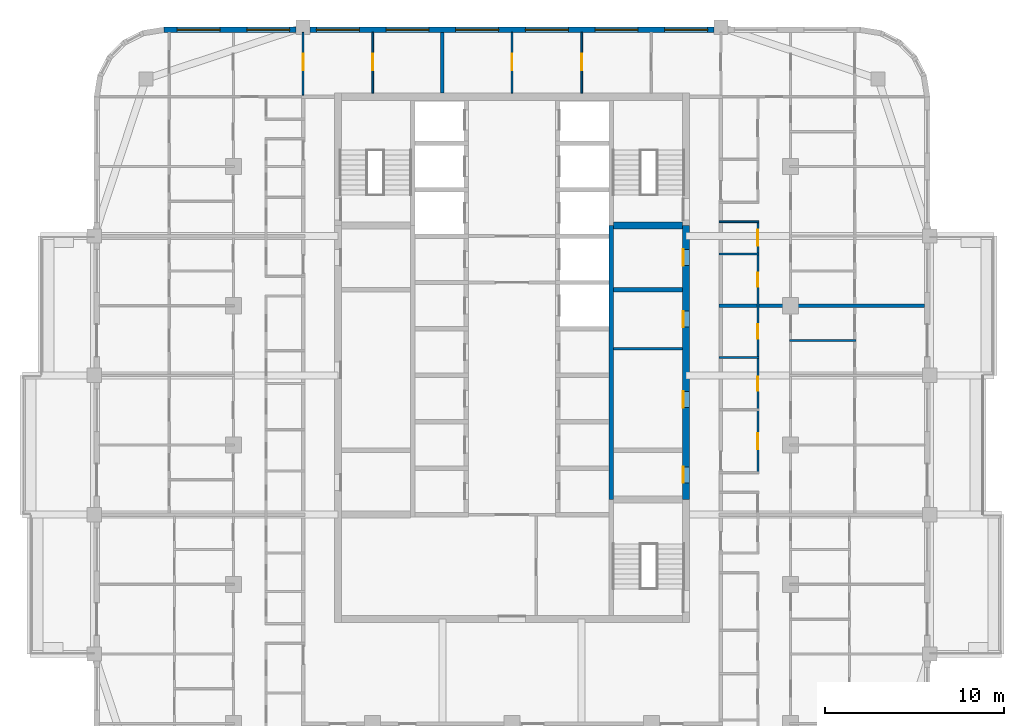
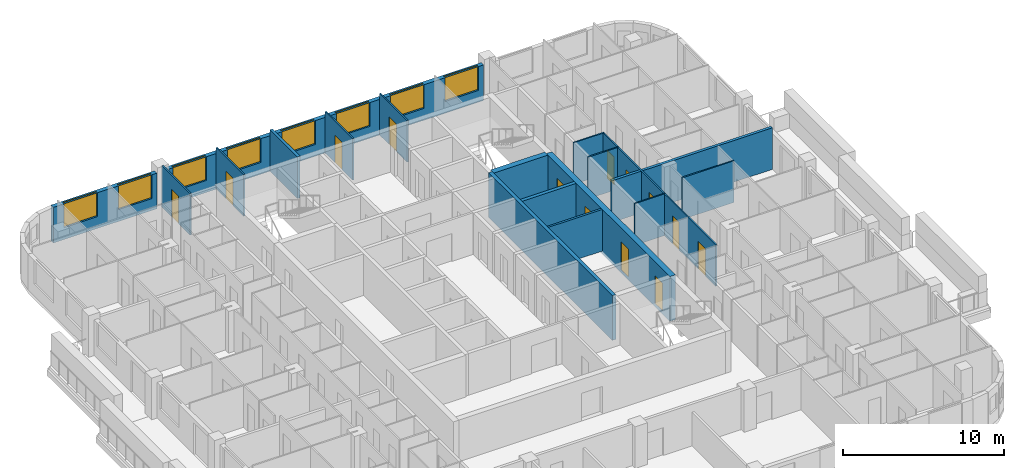
# One storey, part 10 of 16: 18 walls, 13 doors, 8 windows, 21 openings.
"""IFC4 building model written with IfcOpenShell, lengths in metres."""

from ifc_helpers import new_model, si_unit, direction, frame, frame_2d, origin, place, context, subcontext, project, spatial, rectangle, extrude, material, layer, layer_set, type_object, element, fill, save


model = new_model("IFC4")

# Units and contexts
model_context = context("Model", 3, precision=1e-05, world=origin(), true_north=direction((0.0, 1.0)))
body_context = subcontext(model_context, "Body", "Model", "MODEL_VIEW")
ifc_project = project(units=[si_unit("LENGTHUNIT", "METRE"), si_unit("AREAUNIT", "SQUARE_METRE"), si_unit("VOLUMEUNIT", "CUBIC_METRE"), si_unit("PLANEANGLEUNIT", "RADIAN"), si_unit("MASSUNIT", "GRAM", prefix="KILO")], contexts=[model_context])

# Site, building, storey
site_placement = place(None, origin())
site = spatial("IfcSite", under=ifc_project, at=site_placement, CompositionType="ELEMENT")
building_placement = place(site_placement, origin())
building = spatial("IfcBuilding", under=site, at=building_placement, Name="Ludao Terraces", CompositionType="ELEMENT")
storey_placement = place(building_placement, frame((0.0, 0.0, 207.5)))
storey = spatial("IfcBuildingStorey", under=building, at=storey_placement, Name="L56", CompositionType="ELEMENT", Elevation=207.5)

# Wall, openings, doors
ifc_material_1 = material(Name="Concrete C50", Category="concrete")
ifc_layer_1 = layer(ifc_material_1, 0.39990234375)
ifc_layer_set_1 = layer_set([ifc_layer_1], Name="Core wall 400 C50")
wall_type_1 = type_object("IfcWallType", Name="Core wall 400 C50", PredefinedType="SOLIDWALL", material=ifc_layer_set_1)
wall_1_placement = place(storey_placement, frame((94.75, 61.949951171875, -0.25), z_axis=(0.0, 0.0, 1.0), x_axis=(0.0, 1.0, 0.0)))
wall_1 = element("IfcWall", 1, at=wall_1_placement, inside=storey, type_object=wall_type_1, Name="Core wall L56 outer-E", PredefinedType="SOLIDWALL", context=body_context, shape_type="SweptSolid", body=[
    extrude(rectangle(XDim=15.35009765625, YDim=0.39990234375, at=frame_2d((7.675048828125, 0.0))), origin(), (0.0, 0.0, 1.0), 3.39990234375),
])
opening_1_placement = place(wall_1_placement, frame((0.925048828125, 0.0, 0.25)))
opening_1 = element("IfcOpeningElement", 2, at=opening_1_placement, cuts=wall_1, Name="Opening R20-058", PredefinedType="OPENING", context=body_context, shape_type="SweptSolid", body=[
    extrude(rectangle(XDim=0.89990234375, YDim=2.10009765625, at=frame_2d((0.449951171875, 1.050048828125))), frame((0.0, 0.2099609375, 0.0), z_axis=(0.0, -1.0, 0.0), x_axis=(1.0, 0.0, 0.0)), (0.0, 0.0, 1.0), 0.419921875),
])
opening_2_placement = place(wall_1_placement, frame((5.14990234375, 0.0, 0.25)))
opening_2 = element("IfcOpeningElement", 3, at=opening_2_placement, cuts=wall_1, Name="Opening R20-071", PredefinedType="OPENING", context=body_context, shape_type="SweptSolid", body=[
    extrude(rectangle(XDim=0.89990234375, YDim=2.10009765625, at=frame_2d((0.449951171875, 1.050048828125))), frame((0.0, 0.2099609375, 0.0), z_axis=(0.0, -1.0, 0.0), x_axis=(1.0, 0.0, 0.0)), (0.0, 0.0, 1.0), 0.419921875),
])
opening_3_placement = place(wall_1_placement, frame((9.64990234375, 0.0, 0.25)))
opening_3 = element("IfcOpeningElement", 4, at=opening_3_placement, cuts=wall_1, Name="Opening R20-086", PredefinedType="OPENING", context=body_context, shape_type="SweptSolid", body=[
    extrude(rectangle(XDim=0.89990234375, YDim=2.10009765625, at=frame_2d((0.449951171875, 1.050048828125))), frame((0.0, 0.2099609375, 0.0), z_axis=(0.0, -1.0, 0.0), x_axis=(1.0, 0.0, 0.0)), (0.0, 0.0, 1.0), 0.419921875),
])
opening_4_placement = place(wall_1_placement, frame((13.10009765625, 0.0, 0.25)))
opening_4 = element("IfcOpeningElement", 5, at=opening_4_placement, cuts=wall_1, Name="Opening R20-097", PredefinedType="OPENING", context=body_context, shape_type="SweptSolid", body=[
    extrude(rectangle(XDim=0.89990234375, YDim=2.10009765625, at=frame_2d((0.449951171875, 1.050048828125))), frame((0.0, 0.2099609375, 0.0), z_axis=(0.0, -1.0, 0.0), x_axis=(1.0, 0.0, 0.0)), (0.0, 0.0, 1.0), 0.419921875),
])
ifc_material_2 = material(Name="Steel Q235", Category="steel")
door_type_1 = type_object("IfcDoorType", Name="INT Riser door 900", OperationType="SINGLE_SWING_LEFT", PredefinedType="DOOR", material=ifc_material_2)
door_1_placement = place(opening_1_placement, origin())
door_1 = element("IfcDoor", 6, at=door_1_placement, inside=storey, type_object=door_type_1, Name="DOOR 058", OperationType="SINGLE_SWING_LEFT", OverallHeight=2.10009765625, OverallWidth=0.89990234375, PredefinedType="DOOR", context=body_context, shape_type="SweptSolid", body=[
    extrude(rectangle(XDim=0.89990234375, YDim=2.10009765625, at=frame_2d((0.449951171875, 1.050048828125))), frame((0.0, 0.18505859375, 0.0), z_axis=(0.0, -1.0, 0.0), x_axis=(1.0, 0.0, 0.0)), (0.0, 0.0, 1.0), 0.050048828125),
])
fill(opening_1, door_1)
door_2_placement = place(opening_4_placement, origin())
door_2 = element("IfcDoor", 7, at=door_2_placement, inside=storey, type_object=door_type_1, Name="DOOR 097", OperationType="SINGLE_SWING_RIGHT", OverallHeight=2.10009765625, OverallWidth=0.89990234375, PredefinedType="DOOR", context=body_context, shape_type="SweptSolid", body=[
    extrude(rectangle(XDim=0.89990234375, YDim=2.10009765625, at=frame_2d((0.449951171875, 1.050048828125))), frame((0.0, 0.18505859375, 0.0), z_axis=(0.0, -1.0, 0.0), x_axis=(1.0, 0.0, 0.0)), (0.0, 0.0, 1.0), 0.050048828125),
])
fill(opening_4, door_2)
ifc_material_3 = material(Name="Timber door leaf", Category="wood")
door_type_2 = type_object("IfcDoorType", Name="INT Room door 900", OperationType="SINGLE_SWING_LEFT", PredefinedType="DOOR", material=ifc_material_3)
door_3_placement = place(opening_2_placement, origin())
door_3 = element("IfcDoor", 8, at=door_3_placement, inside=storey, type_object=door_type_2, Name="DOOR 071", OperationType="SINGLE_SWING_LEFT", OverallHeight=2.10009765625, OverallWidth=0.89990234375, PredefinedType="DOOR", context=body_context, shape_type="SweptSolid", body=[
    extrude(rectangle(XDim=0.89990234375, YDim=2.10009765625, at=frame_2d((0.449951171875, 1.050048828125))), frame((0.0, 0.18505859375, 0.0), z_axis=(0.0, -1.0, 0.0), x_axis=(1.0, 0.0, 0.0)), (0.0, 0.0, 1.0), 0.050048828125),
])
fill(opening_2, door_3)
door_4_placement = place(opening_3_placement, origin())
door_4 = element("IfcDoor", 9, at=door_4_placement, inside=storey, type_object=door_type_2, Name="DOOR 086", OperationType="SINGLE_SWING_LEFT", OverallHeight=2.10009765625, OverallWidth=0.89990234375, PredefinedType="DOOR", context=body_context, shape_type="SweptSolid", body=[
    extrude(rectangle(XDim=0.89990234375, YDim=2.10009765625, at=frame_2d((0.449951171875, 1.050048828125))), frame((0.0, 0.18505859375, 0.0), z_axis=(0.0, -1.0, 0.0), x_axis=(1.0, 0.0, 0.0)), (0.0, 0.0, 1.0), 0.050048828125),
])
fill(opening_3, door_4)

# Wall, openings, windows
ifc_material_4 = material(Name="Granite cladding", Category="masonry")
ifc_layer_2 = layer(ifc_material_4, 0.0400390625, Category="stone")
ifc_material_5 = material(Name="Mineral wool")
ifc_layer_3 = layer(ifc_material_5, 0.06005859375)
ifc_material_6 = material(Name="Concrete C40", Category="concrete")
ifc_layer_4 = layer(ifc_material_6, 0.199951171875, Category="concrete")
ifc_layer_set_2 = layer_set([ifc_layer_2, ifc_layer_3, ifc_layer_4], Name="ENV Stone-clad wall 300")
wall_type_2 = type_object("IfcWallType", Name="ENV Stone-clad wall 300", PredefinedType="SOLIDWALL", material=ifc_layer_set_2)
wall_2_placement = place(storey_placement, frame((65.5, 88.25, 0.0), z_axis=(0.0, 0.0, 1.0), x_axis=(1.0, 0.0, 0.0)))
wall_2 = element("IfcWall", 10, at=wall_2_placement, inside=storey, type_object=wall_type_2, Name="EW-L56-N1", PredefinedType="SOLIDWALL", context=body_context, shape_type="SweptSolid", body=[
    extrude(rectangle(XDim=7.39990234375, YDim=0.300048828125, at=frame_2d((3.699951171875, 0.0))), origin(), (0.0, 0.0, 1.0), 2.699951171875),
])
opening_5_placement = place(wall_2_placement, frame((0.75, 0.0, 0.89990234375)))
opening_5 = element("IfcOpeningElement", 11, at=opening_5_placement, cuts=wall_2, Name="Opening W1", PredefinedType="OPENING", context=body_context, shape_type="SweptSolid", body=[
    extrude(rectangle(XDim=2.39990234375, YDim=1.800048828125, at=frame_2d((1.199951171875, 0.89990234375))), frame((0.0, 0.16015625, 0.0), z_axis=(0.0, -1.0, 0.0), x_axis=(1.0, 0.0, 0.0)), (0.0, 0.0, 1.0), 0.320068359375),
])
opening_6_placement = place(wall_2_placement, frame((4.64990234375, 0.0, 0.89990234375)))
opening_6 = element("IfcOpeningElement", 12, at=opening_6_placement, cuts=wall_2, Name="Opening W1", PredefinedType="OPENING", context=body_context, shape_type="SweptSolid", body=[
    extrude(rectangle(XDim=2.39990234375, YDim=1.800048828125, at=frame_2d((1.199951171875, 0.89990234375))), frame((0.0, 0.16015625, 0.0), z_axis=(0.0, -1.0, 0.0), x_axis=(1.0, 0.0, 0.0)), (0.0, 0.0, 1.0), 0.320068359375),
])
ifc_material_7 = material(Name="Clear glass in aluminium frame", Category="aluminium")
ifc_layer_5 = layer(ifc_material_7, 0.06005859375)
ifc_layer_set_3 = layer_set([ifc_layer_5], Name="ENV Window W1 2400x1800")
window_type = type_object("IfcWindowType", Name="ENV Window W1 2400x1800", PartitioningType="DOUBLE_PANEL_VERTICAL", PredefinedType="WINDOW", material=ifc_layer_set_3)
window_1_placement = place(opening_5_placement, origin())
window_1 = element("IfcWindow", 13, at=window_1_placement, inside=storey, type_object=window_type, Name="W-L56-N1-1", OverallHeight=1.800048828125, OverallWidth=2.39990234375, PartitioningType="DOUBLE_PANEL_VERTICAL", PredefinedType="WINDOW", context=body_context, shape_type="SweptSolid", body=[
    extrude(rectangle(XDim=2.39990234375, YDim=1.800048828125, at=frame_2d((1.199951171875, 0.89990234375))), frame((0.0, 0.030029296875, 0.0), z_axis=(0.0, -1.0, 0.0), x_axis=(1.0, 0.0, 0.0)), (0.0, 0.0, 1.0), 0.06005859375),
])
fill(opening_5, window_1)
window_2_placement = place(opening_6_placement, origin())
window_2 = element("IfcWindow", 14, at=window_2_placement, inside=storey, type_object=window_type, Name="W-L56-N1-2", OverallHeight=1.800048828125, OverallWidth=2.39990234375, PartitioningType="DOUBLE_PANEL_VERTICAL", PredefinedType="WINDOW", context=body_context, shape_type="SweptSolid", body=[
    extrude(rectangle(XDim=2.39990234375, YDim=1.800048828125, at=frame_2d((1.199951171875, 0.89990234375))), frame((0.0, 0.030029296875, 0.0), z_axis=(0.0, -1.0, 0.0), x_axis=(1.0, 0.0, 0.0)), (0.0, 0.0, 1.0), 0.06005859375),
])
fill(opening_6, window_2)

wall_3_placement = place(storey_placement, frame((73.699951171875, 88.25, 0.0), z_axis=(0.0, 0.0, 1.0), x_axis=(1.0, 0.0, 0.0)))
wall_3 = element("IfcWall", 15, at=wall_3_placement, inside=storey, type_object=wall_type_2, Name="EW-L56-N2", PredefinedType="SOLIDWALL", context=body_context, shape_type="SweptSolid", body=[
    extrude(rectangle(XDim=22.60009765625, YDim=0.300048828125, at=frame_2d((11.300048828125, 0.0))), origin(), (0.0, 0.0, 1.0), 2.699951171875),
])
opening_7_placement = place(wall_3_placement, frame((0.35009765625, 0.0, 0.89990234375)))
opening_7 = element("IfcOpeningElement", 16, at=opening_7_placement, cuts=wall_3, Name="Opening W1", PredefinedType="OPENING", context=body_context, shape_type="SweptSolid", body=[
    extrude(rectangle(XDim=2.39990234375, YDim=1.800048828125, at=frame_2d((1.199951171875, 0.89990234375))), frame((0.0, 0.16015625, 0.0), z_axis=(0.0, -1.0, 0.0), x_axis=(1.0, 0.0, 0.0)), (0.0, 0.0, 1.0), 0.320068359375),
])
opening_8_placement = place(wall_3_placement, frame((4.25, 0.0, 0.89990234375)))
opening_8 = element("IfcOpeningElement", 17, at=opening_8_placement, cuts=wall_3, Name="Opening W1", PredefinedType="OPENING", context=body_context, shape_type="SweptSolid", body=[
    extrude(rectangle(XDim=2.39990234375, YDim=1.800048828125, at=frame_2d((1.199951171875, 0.89990234375))), frame((0.0, 0.16015625, 0.0), z_axis=(0.0, -1.0, 0.0), x_axis=(1.0, 0.0, 0.0)), (0.0, 0.0, 1.0), 0.320068359375),
])
opening_9_placement = place(wall_3_placement, frame((8.14990234375, 0.0, 0.89990234375)))
opening_9 = element("IfcOpeningElement", 18, at=opening_9_placement, cuts=wall_3, Name="Opening W1", PredefinedType="OPENING", context=body_context, shape_type="SweptSolid", body=[
    extrude(rectangle(XDim=2.39990234375, YDim=1.800048828125, at=frame_2d((1.199951171875, 0.89990234375))), frame((0.0, 0.16015625, 0.0), z_axis=(0.0, -1.0, 0.0), x_axis=(1.0, 0.0, 0.0)), (0.0, 0.0, 1.0), 0.320068359375),
])
opening_10_placement = place(wall_3_placement, frame((12.050048828125, 0.0, 0.89990234375)))
opening_10 = element("IfcOpeningElement", 19, at=opening_10_placement, cuts=wall_3, Name="Opening W1", PredefinedType="OPENING", context=body_context, shape_type="SweptSolid", body=[
    extrude(rectangle(XDim=2.39990234375, YDim=1.800048828125, at=frame_2d((1.199951171875, 0.89990234375))), frame((0.0, 0.16015625, 0.0), z_axis=(0.0, -1.0, 0.0), x_axis=(1.0, 0.0, 0.0)), (0.0, 0.0, 1.0), 0.320068359375),
])
opening_11_placement = place(wall_3_placement, frame((15.949951171875, 0.0, 0.89990234375)))
opening_11 = element("IfcOpeningElement", 20, at=opening_11_placement, cuts=wall_3, Name="Opening W1", PredefinedType="OPENING", context=body_context, shape_type="SweptSolid", body=[
    extrude(rectangle(XDim=2.39990234375, YDim=1.800048828125, at=frame_2d((1.199951171875, 0.89990234375))), frame((0.0, 0.16015625, 0.0), z_axis=(0.0, -1.0, 0.0), x_axis=(1.0, 0.0, 0.0)), (0.0, 0.0, 1.0), 0.320068359375),
])
opening_12_placement = place(wall_3_placement, frame((19.85009765625, 0.0, 0.89990234375)))
opening_12 = element("IfcOpeningElement", 21, at=opening_12_placement, cuts=wall_3, Name="Opening W1", PredefinedType="OPENING", context=body_context, shape_type="SweptSolid", body=[
    extrude(rectangle(XDim=2.39990234375, YDim=1.800048828125, at=frame_2d((1.199951171875, 0.89990234375))), frame((0.0, 0.16015625, 0.0), z_axis=(0.0, -1.0, 0.0), x_axis=(1.0, 0.0, 0.0)), (0.0, 0.0, 1.0), 0.320068359375),
])
window_3_placement = place(opening_7_placement, origin())
window_3 = element("IfcWindow", 22, at=window_3_placement, inside=storey, type_object=window_type, Name="W-L56-N2-1", OverallHeight=1.800048828125, OverallWidth=2.39990234375, PartitioningType="DOUBLE_PANEL_VERTICAL", PredefinedType="WINDOW", context=body_context, shape_type="SweptSolid", body=[
    extrude(rectangle(XDim=2.39990234375, YDim=1.800048828125, at=frame_2d((1.199951171875, 0.89990234375))), frame((0.0, 0.030029296875, 0.0), z_axis=(0.0, -1.0, 0.0), x_axis=(1.0, 0.0, 0.0)), (0.0, 0.0, 1.0), 0.06005859375),
])
fill(opening_7, window_3)
window_4_placement = place(opening_8_placement, origin())
window_4 = element("IfcWindow", 23, at=window_4_placement, inside=storey, type_object=window_type, Name="W-L56-N2-2", OverallHeight=1.800048828125, OverallWidth=2.39990234375, PartitioningType="DOUBLE_PANEL_VERTICAL", PredefinedType="WINDOW", context=body_context, shape_type="SweptSolid", body=[
    extrude(rectangle(XDim=2.39990234375, YDim=1.800048828125, at=frame_2d((1.199951171875, 0.89990234375))), frame((0.0, 0.030029296875, 0.0), z_axis=(0.0, -1.0, 0.0), x_axis=(1.0, 0.0, 0.0)), (0.0, 0.0, 1.0), 0.06005859375),
])
fill(opening_8, window_4)
window_5_placement = place(opening_9_placement, origin())
window_5 = element("IfcWindow", 24, at=window_5_placement, inside=storey, type_object=window_type, Name="W-L56-N2-3", OverallHeight=1.800048828125, OverallWidth=2.39990234375, PartitioningType="DOUBLE_PANEL_VERTICAL", PredefinedType="WINDOW", context=body_context, shape_type="SweptSolid", body=[
    extrude(rectangle(XDim=2.39990234375, YDim=1.800048828125, at=frame_2d((1.199951171875, 0.89990234375))), frame((0.0, 0.030029296875, 0.0), z_axis=(0.0, -1.0, 0.0), x_axis=(1.0, 0.0, 0.0)), (0.0, 0.0, 1.0), 0.06005859375),
])
fill(opening_9, window_5)
window_6_placement = place(opening_10_placement, origin())
window_6 = element("IfcWindow", 25, at=window_6_placement, inside=storey, type_object=window_type, Name="W-L56-N2-4", OverallHeight=1.800048828125, OverallWidth=2.39990234375, PartitioningType="DOUBLE_PANEL_VERTICAL", PredefinedType="WINDOW", context=body_context, shape_type="SweptSolid", body=[
    extrude(rectangle(XDim=2.39990234375, YDim=1.800048828125, at=frame_2d((1.199951171875, 0.89990234375))), frame((0.0, 0.030029296875, 0.0), z_axis=(0.0, -1.0, 0.0), x_axis=(1.0, 0.0, 0.0)), (0.0, 0.0, 1.0), 0.06005859375),
])
fill(opening_10, window_6)
window_7_placement = place(opening_11_placement, origin())
window_7 = element("IfcWindow", 26, at=window_7_placement, inside=storey, type_object=window_type, Name="W-L56-N2-5", OverallHeight=1.800048828125, OverallWidth=2.39990234375, PartitioningType="DOUBLE_PANEL_VERTICAL", PredefinedType="WINDOW", context=body_context, shape_type="SweptSolid", body=[
    extrude(rectangle(XDim=2.39990234375, YDim=1.800048828125, at=frame_2d((1.199951171875, 0.89990234375))), frame((0.0, 0.030029296875, 0.0), z_axis=(0.0, -1.0, 0.0), x_axis=(1.0, 0.0, 0.0)), (0.0, 0.0, 1.0), 0.06005859375),
])
fill(opening_11, window_7)
window_8_placement = place(opening_12_placement, origin())
window_8 = element("IfcWindow", 27, at=window_8_placement, inside=storey, type_object=window_type, Name="W-L56-N2-6", OverallHeight=1.800048828125, OverallWidth=2.39990234375, PartitioningType="DOUBLE_PANEL_VERTICAL", PredefinedType="WINDOW", context=body_context, shape_type="SweptSolid", body=[
    extrude(rectangle(XDim=2.39990234375, YDim=1.800048828125, at=frame_2d((1.199951171875, 0.89990234375))), frame((0.0, 0.030029296875, 0.0), z_axis=(0.0, -1.0, 0.0), x_axis=(1.0, 0.0, 0.0)), (0.0, 0.0, 1.0), 0.06005859375),
])
fill(opening_12, window_8)

# Walls
ifc_material_8 = material(Name="Fire-rated gypsum plasterboard", Category="gypsum")
ifc_layer_6 = layer(ifc_material_8, 0.012451171875, Category="gypsum")
ifc_layer_7 = layer(ifc_material_5, 0.10009765625, Name="insulation")
ifc_layer_8 = layer(ifc_material_2, 0.02490234375, Name="stud")
ifc_layer_9 = layer(ifc_material_8, 0.012451171875, Category="gypsum")
ifc_layer_set_4 = layer_set([ifc_layer_6, ifc_layer_7, ifc_layer_8, ifc_layer_9], Name="INT Core partition 150")
wall_type_3 = type_object("IfcWallType", Name="INT Core partition 150", PredefinedType="PARTITIONING", material=ifc_layer_set_4)
wall_4_placement = place(storey_placement, frame((90.675048828125, 70.39990234375, 0.0), z_axis=(0.0, 0.0, 1.0), x_axis=(1.0, 0.0, 0.0)))
element("IfcWall", 28, at=wall_4_placement, inside=storey, type_object=wall_type_3, Name="PW-L56-PW042", PredefinedType="PARTITIONING", context=body_context, shape_type="SweptSolid", body=[
    extrude(rectangle(XDim=3.875, YDim=0.14990234375, at=frame_2d((1.9375, 0.0))), origin(), (0.0, 0.0, 1.0), 3.14990234375),
])
ifc_material_9 = material(Name="Gypsum plasterboard", Category="gypsum")
ifc_layer_10 = layer(ifc_material_9, 0.012451171875, Category="gypsum")
ifc_layer_11 = layer(ifc_material_5, 0.06005859375, Name="insulation")
ifc_layer_12 = layer(ifc_material_2, 0.014892578125, Name="stud")
ifc_layer_13 = layer(ifc_material_9, 0.012451171875, Category="gypsum")
ifc_layer_set_5 = layer_set([ifc_layer_10, ifc_layer_11, ifc_layer_12, ifc_layer_13], Name="INT Partition 100")
wall_type_4 = type_object("IfcWallType", Name="INT Partition 100", PredefinedType="PARTITIONING", material=ifc_layer_set_5)
wall_5_placement = place(storey_placement, frame((96.60009765625, 69.89990234375, 0.0), z_axis=(0.0, 0.0, 1.0), x_axis=(1.0, 0.0, 0.0)))
element("IfcWall", 29, at=wall_5_placement, inside=storey, type_object=wall_type_4, Name="PW-L56-PW040", PredefinedType="PARTITIONING", context=body_context, shape_type="SweptSolid", body=[
    extrude(rectangle(XDim=2.219970703125, YDim=0.10009765625, at=frame_2d((1.10986328125, 0.0))), origin(), (0.0, 0.0, 1.0), 3.14990234375),
])
wall_6_placement = place(storey_placement, frame((100.550048828125, 70.85009765625, 0.0), z_axis=(0.0, 0.0, 1.0), x_axis=(1.0, 0.0, 0.0)))
element("IfcWall", 30, at=wall_6_placement, inside=storey, type_object=wall_type_4, Name="PW-L56-PW043", PredefinedType="PARTITIONING", context=body_context, shape_type="SweptSolid", body=[
    extrude(rectangle(XDim=3.699951171875, YDim=0.10009765625, at=frame_2d((1.85009765625, 0.0))), origin(), (0.0, 0.0, 1.0), 3.14990234375),
])
for number, where, z_axis, x_axis, name in (
    (31, (96.60009765625, 75.699951171875, 0.0), (0.0, 0.0, 1.0), (1.0, 0.0, 0.0), "PW-L56-PW051"),
    (32, (96.60009765625, 77.5, 0.0), (0.0, 0.0, 1.0), (1.0, 0.0, 0.0), "PW-L56-PW055"),
):
    element("IfcWall", number, at=place(storey_placement, frame(where, z_axis=z_axis, x_axis=x_axis)), inside=storey, type_object=wall_type_4, Name=name, PredefinedType="PARTITIONING", context=body_context, shape_type="SweptSolid", body=[
        extrude(rectangle(XDim=2.219970703125, YDim=0.10009765625, at=frame_2d((1.10986328125, 0.0))), origin(), (0.0, 0.0, 1.0), 3.14990234375),
    ])

# Wall, opening, door
wall_7_placement = place(storey_placement, frame((73.300048828125, 84.60009765625, 0.0), z_axis=(0.0, 0.0, 1.0), x_axis=(0.0, 1.0, 0.0)))
wall_7 = element("IfcWall", 33, at=wall_7_placement, inside=storey, type_object=wall_type_4, Name="PW-L56-PW079", PredefinedType="PARTITIONING", context=body_context, shape_type="SweptSolid", body=[
    extrude(rectangle(XDim=3.5, YDim=0.10009765625, at=frame_2d((1.75, 0.0))), origin(), (0.0, 0.0, 1.0), 3.14990234375),
])
opening_13_placement = place(wall_7_placement, frame((1.39990234375, 0.0, 0.0)))
opening_13 = element("IfcOpeningElement", 34, at=opening_13_placement, cuts=wall_7, Name="Opening R20-135", PredefinedType="OPENING", context=body_context, shape_type="SweptSolid", body=[
    extrude(rectangle(XDim=0.89990234375, YDim=2.10009765625, at=frame_2d((0.449951171875, 1.050048828125))), frame((0.0, 0.06005859375, 0.0), z_axis=(0.0, -1.0, 0.0), x_axis=(1.0, 0.0, 0.0)), (0.0, 0.0, 1.0), 0.1201171875),
])
door_5_placement = place(opening_13_placement, origin())
door_5 = element("IfcDoor", 35, at=door_5_placement, inside=storey, type_object=door_type_2, Name="DOOR 135", OperationType="SINGLE_SWING_LEFT", OverallHeight=2.10009765625, OverallWidth=0.89990234375, PredefinedType="DOOR", context=body_context, shape_type="SweptSolid", body=[
    extrude(rectangle(XDim=0.89990234375, YDim=2.10009765625, at=frame_2d((0.449951171875, 1.050048828125))), frame((0.0, 0.02490234375, 0.0), z_axis=(0.0, -1.0, 0.0), x_axis=(1.0, 0.0, 0.0)), (0.0, 0.0, 1.0), 0.050048828125),
])
fill(opening_13, door_5)

wall_8_placement = place(storey_placement, frame((77.199951171875, 84.7001953125, 0.0), z_axis=(0.0, 0.0, 1.0), x_axis=(0.0, 1.0, 0.0)))
wall_8 = element("IfcWall", 36, at=wall_8_placement, inside=storey, type_object=wall_type_4, Name="PW-L56-PW081", PredefinedType="PARTITIONING", context=body_context, shape_type="SweptSolid", body=[
    extrude(rectangle(XDim=3.39990234375, YDim=0.10009765625, at=frame_2d((1.699951171875, 0.0))), origin(), (0.0, 0.0, 1.0), 3.14990234375),
])
opening_14_placement = place(wall_8_placement, frame((1.2998046875, 0.0, 0.0)))
opening_14 = element("IfcOpeningElement", 37, at=opening_14_placement, cuts=wall_8, Name="Opening R20-136", PredefinedType="OPENING", context=body_context, shape_type="SweptSolid", body=[
    extrude(rectangle(XDim=0.89990234375, YDim=2.10009765625, at=frame_2d((0.449951171875, 1.050048828125))), frame((0.0, 0.06005859375, 0.0), z_axis=(0.0, -1.0, 0.0), x_axis=(1.0, 0.0, 0.0)), (0.0, 0.0, 1.0), 0.1201171875),
])
door_6_placement = place(opening_14_placement, origin())
door_6 = element("IfcDoor", 38, at=door_6_placement, inside=storey, type_object=door_type_2, Name="DOOR 136", OperationType="SINGLE_SWING_LEFT", OverallHeight=2.10009765625, OverallWidth=0.89990234375, PredefinedType="DOOR", context=body_context, shape_type="SweptSolid", body=[
    extrude(rectangle(XDim=0.89990234375, YDim=2.10009765625, at=frame_2d((0.449951171875, 1.050048828125))), frame((0.0, 0.02490234375, 0.0), z_axis=(0.0, -1.0, 0.0), x_axis=(1.0, 0.0, 0.0)), (0.0, 0.0, 1.0), 0.050048828125),
])
fill(opening_14, door_6)

wall_9_placement = place(storey_placement, frame((85.0, 84.7001953125, 0.0), z_axis=(0.0, 0.0, 1.0), x_axis=(0.0, 1.0, 0.0)))
wall_9 = element("IfcWall", 39, at=wall_9_placement, inside=storey, type_object=wall_type_4, Name="PW-L56-PW084", PredefinedType="PARTITIONING", context=body_context, shape_type="SweptSolid", body=[
    extrude(rectangle(XDim=3.39990234375, YDim=0.10009765625, at=frame_2d((1.699951171875, 0.0))), origin(), (0.0, 0.0, 1.0), 3.14990234375),
])
opening_15_placement = place(wall_9_placement, frame((1.2998046875, 0.0, 0.0)))
opening_15 = element("IfcOpeningElement", 40, at=opening_15_placement, cuts=wall_9, Name="Opening R20-137", PredefinedType="OPENING", context=body_context, shape_type="SweptSolid", body=[
    extrude(rectangle(XDim=0.89990234375, YDim=2.10009765625, at=frame_2d((0.449951171875, 1.050048828125))), frame((0.0, 0.06005859375, 0.0), z_axis=(0.0, -1.0, 0.0), x_axis=(1.0, 0.0, 0.0)), (0.0, 0.0, 1.0), 0.1201171875),
])
door_7_placement = place(opening_15_placement, origin())
door_7 = element("IfcDoor", 41, at=door_7_placement, inside=storey, type_object=door_type_2, Name="DOOR 137", OperationType="SINGLE_SWING_RIGHT", OverallHeight=2.10009765625, OverallWidth=0.89990234375, PredefinedType="DOOR", context=body_context, shape_type="SweptSolid", body=[
    extrude(rectangle(XDim=0.89990234375, YDim=2.10009765625, at=frame_2d((0.449951171875, 1.050048828125))), frame((0.0, 0.02490234375, 0.0), z_axis=(0.0, -1.0, 0.0), x_axis=(1.0, 0.0, 0.0)), (0.0, 0.0, 1.0), 0.050048828125),
])
fill(opening_15, door_7)

wall_10_placement = place(storey_placement, frame((88.89990234375, 84.7001953125, 0.0), z_axis=(0.0, 0.0, 1.0), x_axis=(0.0, 1.0, 0.0)))
wall_10 = element("IfcWall", 42, at=wall_10_placement, inside=storey, type_object=wall_type_4, Name="PW-L56-PW087", PredefinedType="PARTITIONING", context=body_context, shape_type="SweptSolid", body=[
    extrude(rectangle(XDim=3.39990234375, YDim=0.10009765625, at=frame_2d((1.699951171875, 0.0))), origin(), (0.0, 0.0, 1.0), 3.14990234375),
])
opening_16_placement = place(wall_10_placement, frame((1.2998046875, 0.0, 0.0)))
opening_16 = element("IfcOpeningElement", 43, at=opening_16_placement, cuts=wall_10, Name="Opening R20-138", PredefinedType="OPENING", context=body_context, shape_type="SweptSolid", body=[
    extrude(rectangle(XDim=0.89990234375, YDim=2.10009765625, at=frame_2d((0.449951171875, 1.050048828125))), frame((0.0, 0.06005859375, 0.0), z_axis=(0.0, -1.0, 0.0), x_axis=(1.0, 0.0, 0.0)), (0.0, 0.0, 1.0), 0.1201171875),
])
door_8_placement = place(opening_16_placement, origin())
door_8 = element("IfcDoor", 44, at=door_8_placement, inside=storey, type_object=door_type_2, Name="DOOR 138", OperationType="SINGLE_SWING_LEFT", OverallHeight=2.10009765625, OverallWidth=0.89990234375, PredefinedType="DOOR", context=body_context, shape_type="SweptSolid", body=[
    extrude(rectangle(XDim=0.89990234375, YDim=2.10009765625, at=frame_2d((0.449951171875, 1.050048828125))), frame((0.0, 0.02490234375, 0.0), z_axis=(0.0, -1.0, 0.0), x_axis=(1.0, 0.0, 0.0)), (0.0, 0.0, 1.0), 0.050048828125),
])
fill(opening_16, door_8)

# Wall, openings, doors
wall_11_placement = place(storey_placement, frame((98.77001953125, 63.5, 0.0), z_axis=(0.0, 0.0, 1.0), x_axis=(0.0, 1.0, 0.0)))
wall_11 = element("IfcWall", 45, at=wall_11_placement, inside=storey, type_object=wall_type_4, Name="PW-L56-PW094", PredefinedType="PARTITIONING", context=body_context, shape_type="SweptSolid", body=[
    extrude(rectangle(XDim=13.9501953125, YDim=0.10009765625, at=frame_2d((6.97509765625, 0.0))), origin(), (0.0, 0.0, 1.0), 3.14990234375),
])
opening_17_placement = place(wall_11_placement, frame((1.260009765625, 0.0, 0.0)))
opening_17 = element("IfcOpeningElement", 46, at=opening_17_placement, cuts=wall_11, Name="Opening R20-065", PredefinedType="OPENING", context=body_context, shape_type="SweptSolid", body=[
    extrude(rectangle(XDim=0.89990234375, YDim=2.10009765625, at=frame_2d((0.449951171875, 1.050048828125))), frame((0.0, 0.06005859375, 0.0), z_axis=(0.0, -1.0, 0.0), x_axis=(1.0, 0.0, 0.0)), (0.0, 0.0, 1.0), 0.1201171875),
])
opening_18_placement = place(wall_11_placement, frame((4.53515625, 0.0, 0.0)))
opening_18 = element("IfcOpeningElement", 47, at=opening_18_placement, cuts=wall_11, Name="Opening R20-074", PredefinedType="OPENING", context=body_context, shape_type="SweptSolid", body=[
    extrude(rectangle(XDim=0.800048828125, YDim=2.10009765625, at=frame_2d((0.39990234375, 1.050048828125))), frame((0.0, 0.06005859375, 0.0), z_axis=(0.0, -1.0, 0.0), x_axis=(1.0, 0.0, 0.0)), (0.0, 0.0, 1.0), 0.1201171875),
])
opening_19_placement = place(wall_11_placement, frame((7.4501953125, 0.0, 0.0)))
opening_19 = element("IfcOpeningElement", 48, at=opening_19_placement, cuts=wall_11, Name="Opening R20-082", PredefinedType="OPENING", context=body_context, shape_type="SweptSolid", body=[
    extrude(rectangle(XDim=0.800048828125, YDim=2.10009765625, at=frame_2d((0.39990234375, 1.050048828125))), frame((0.0, 0.06005859375, 0.0), z_axis=(0.0, -1.0, 0.0), x_axis=(1.0, 0.0, 0.0)), (0.0, 0.0, 1.0), 0.1201171875),
])
opening_20_placement = place(wall_11_placement, frame((10.35009765625, 0.0, 0.0)))
opening_20 = element("IfcOpeningElement", 49, at=opening_20_placement, cuts=wall_11, Name="Opening R20-092", PredefinedType="OPENING", context=body_context, shape_type="SweptSolid", body=[
    extrude(rectangle(XDim=0.800048828125, YDim=2.10009765625, at=frame_2d((0.39990234375, 1.050048828125))), frame((0.0, 0.06005859375, 0.0), z_axis=(0.0, -1.0, 0.0), x_axis=(1.0, 0.0, 0.0)), (0.0, 0.0, 1.0), 0.1201171875),
])
opening_21_placement = place(wall_11_placement, frame((12.650146484375, 0.0, 0.0)))
opening_21 = element("IfcOpeningElement", 50, at=opening_21_placement, cuts=wall_11, Name="Opening R20-103", PredefinedType="OPENING", context=body_context, shape_type="SweptSolid", body=[
    extrude(rectangle(XDim=0.89990234375, YDim=2.10009765625, at=frame_2d((0.449951171875, 1.050048828125))), frame((0.0, 0.06005859375, 0.0), z_axis=(0.0, -1.0, 0.0), x_axis=(1.0, 0.0, 0.0)), (0.0, 0.0, 1.0), 0.1201171875),
])
door_type_3 = type_object("IfcDoorType", Name="INT Bathroom door 900", OperationType="SINGLE_SWING_LEFT", PredefinedType="DOOR", material=ifc_material_3)
door_9_placement = place(opening_21_placement, origin())
door_9 = element("IfcDoor", 51, at=door_9_placement, inside=storey, type_object=door_type_3, Name="DOOR 103", OperationType="SINGLE_SWING_LEFT", OverallHeight=2.10009765625, OverallWidth=0.89990234375, PredefinedType="DOOR", context=body_context, shape_type="SweptSolid", body=[
    extrude(rectangle(XDim=0.89990234375, YDim=2.10009765625, at=frame_2d((0.449951171875, 1.050048828125))), frame((0.0, 0.02490234375, 0.0), z_axis=(0.0, -1.0, 0.0), x_axis=(1.0, 0.0, 0.0)), (0.0, 0.0, 1.0), 0.050048828125),
])
fill(opening_21, door_9)
door_10_placement = place(opening_17_placement, origin())
door_10 = element("IfcDoor", 52, at=door_10_placement, inside=storey, type_object=door_type_2, Name="DOOR 065", OperationType="SINGLE_SWING_LEFT", OverallHeight=2.10009765625, OverallWidth=0.89990234375, PredefinedType="DOOR", context=body_context, shape_type="SweptSolid", body=[
    extrude(rectangle(XDim=0.89990234375, YDim=2.10009765625, at=frame_2d((0.449951171875, 1.050048828125))), frame((0.0, 0.02490234375, 0.0), z_axis=(0.0, -1.0, 0.0), x_axis=(1.0, 0.0, 0.0)), (0.0, 0.0, 1.0), 0.050048828125),
])
fill(opening_17, door_10)
door_type_4 = type_object("IfcDoorType", Name="INT Store door 800", OperationType="SINGLE_SWING_LEFT", PredefinedType="DOOR", material=ifc_material_3)
door_11_placement = place(opening_18_placement, origin())
door_11 = element("IfcDoor", 53, at=door_11_placement, inside=storey, type_object=door_type_4, Name="DOOR 074", OperationType="SINGLE_SWING_RIGHT", OverallHeight=2.10009765625, OverallWidth=0.800048828125, PredefinedType="DOOR", context=body_context, shape_type="SweptSolid", body=[
    extrude(rectangle(XDim=0.800048828125, YDim=2.10009765625, at=frame_2d((0.39990234375, 1.050048828125))), frame((0.0, 0.02490234375, 0.0), z_axis=(0.0, -1.0, 0.0), x_axis=(1.0, 0.0, 0.0)), (0.0, 0.0, 1.0), 0.050048828125),
])
fill(opening_18, door_11)
door_12_placement = place(opening_19_placement, origin())
door_12 = element("IfcDoor", 54, at=door_12_placement, inside=storey, type_object=door_type_4, Name="DOOR 082", OperationType="SINGLE_SWING_LEFT", OverallHeight=2.10009765625, OverallWidth=0.800048828125, PredefinedType="DOOR", context=body_context, shape_type="SweptSolid", body=[
    extrude(rectangle(XDim=0.800048828125, YDim=2.10009765625, at=frame_2d((0.39990234375, 1.050048828125))), frame((0.0, 0.02490234375, 0.0), z_axis=(0.0, -1.0, 0.0), x_axis=(1.0, 0.0, 0.0)), (0.0, 0.0, 1.0), 0.050048828125),
])
fill(opening_19, door_12)
door_13_placement = place(opening_20_placement, origin())
door_13 = element("IfcDoor", 55, at=door_13_placement, inside=storey, type_object=door_type_4, Name="DOOR 092", OperationType="SINGLE_SWING_LEFT", OverallHeight=2.10009765625, OverallWidth=0.800048828125, PredefinedType="DOOR", context=body_context, shape_type="SweptSolid", body=[
    extrude(rectangle(XDim=0.800048828125, YDim=2.10009765625, at=frame_2d((0.39990234375, 1.050048828125))), frame((0.0, 0.02490234375, 0.0), z_axis=(0.0, -1.0, 0.0), x_axis=(1.0, 0.0, 0.0)), (0.0, 0.0, 1.0), 0.050048828125),
])
fill(opening_20, door_13)

# Walls
ifc_material_10 = material(Name="Autoclaved aerated concrete block B06 A3.5", Category="concrete")
ifc_layer_14 = layer(ifc_material_10, 0.199951171875)
ifc_layer_set_6 = layer_set([ifc_layer_14], Name="INT Party wall 200")
wall_type_5 = type_object("IfcWallType", Name="INT Party wall 200", PredefinedType="PARTITIONING", material=ifc_layer_set_6)
wall_12_placement = place(storey_placement, frame((96.60009765625, 72.800048828125, 0.0), z_axis=(0.0, 0.0, 1.0), x_axis=(1.0, 0.0, 0.0)))
element("IfcWall", 56, at=wall_12_placement, inside=storey, type_object=wall_type_5, Name="PW-L56-PW045", PredefinedType="PARTITIONING", context=body_context, shape_type="SweptSolid", body=[
    extrude(rectangle(XDim=11.5, YDim=0.199951171875, at=frame_2d((5.75, 0.0))), origin(), (0.0, 0.0, 1.0), 3.14990234375),
])
wall_13_placement = place(storey_placement, frame((81.10009765625, 84.7001953125, 0.0), z_axis=(0.0, 0.0, 1.0), x_axis=(0.0, 1.0, 0.0)))
element("IfcWall", 57, at=wall_13_placement, inside=storey, type_object=wall_type_5, Name="PW-L56-PW083", PredefinedType="PARTITIONING", context=body_context, shape_type="SweptSolid", body=[
    extrude(rectangle(XDim=3.39990234375, YDim=0.199951171875, at=frame_2d((1.699951171875, 0.0))), origin(), (0.0, 0.0, 1.0), 3.14990234375),
])
ifc_layer_15 = layer(ifc_material_1, 0.25)
ifc_layer_set_7 = layer_set([ifc_layer_15], Name="Shaft wall 250 C50")
wall_type_6 = type_object("IfcWallType", Name="Shaft wall 250 C50", PredefinedType="SOLIDWALL", material=ifc_layer_set_7)
wall_14_placement = place(storey_placement, frame((90.550048828125, 61.949951171875, -0.25), z_axis=(0.0, 0.0, 1.0), x_axis=(0.0, 1.0, 0.0)))
element("IfcWall", 58, at=wall_14_placement, inside=storey, type_object=wall_type_6, Name="Core wall L56 back-E", PredefinedType="SOLIDWALL", context=body_context, shape_type="SweptSolid", body=[
    extrude(rectangle(XDim=15.35009765625, YDim=0.25, at=frame_2d((7.675048828125, 0.0))), origin(), (0.0, 0.0, 1.0), 3.39990234375),
])
wall_15_placement = place(storey_placement, frame((90.675048828125, 73.699951171875, -0.25), z_axis=(0.0, 0.0, 1.0), x_axis=(1.0, 0.0, 0.0)))
element("IfcWall", 59, at=wall_15_placement, inside=storey, type_object=wall_type_6, Name="Core wall L56 riser-b-E", PredefinedType="SOLIDWALL", context=body_context, shape_type="SweptSolid", body=[
    extrude(rectangle(XDim=3.875, YDim=0.25, at=frame_2d((1.9375, 0.0))), origin(), (0.0, 0.0, 1.0), 3.39990234375),
])
ifc_layer_16 = layer(ifc_material_1, 0.39990234375)
ifc_layer_set_8 = layer_set([ifc_layer_16], Name="Shaft wall 400 C50")
wall_type_7 = type_object("IfcWallType", Name="Shaft wall 400 C50", PredefinedType="SOLIDWALL", material=ifc_layer_set_8)
wall_16_placement = place(storey_placement, frame((90.675048828125, 77.300048828125, -0.25), z_axis=(0.0, 0.0, 1.0), x_axis=(1.0, 0.0, 0.0)))
element("IfcWall", 60, at=wall_16_placement, inside=storey, type_object=wall_type_7, Name="Core wall L56 stair-E", PredefinedType="SOLIDWALL", context=body_context, shape_type="SweptSolid", body=[
    extrude(rectangle(XDim=3.875, YDim=0.39990234375, at=frame_2d((1.9375, 0.0))), origin(), (0.0, 0.0, 1.0), 3.39990234375),
])

save(model, "model.ifc")
